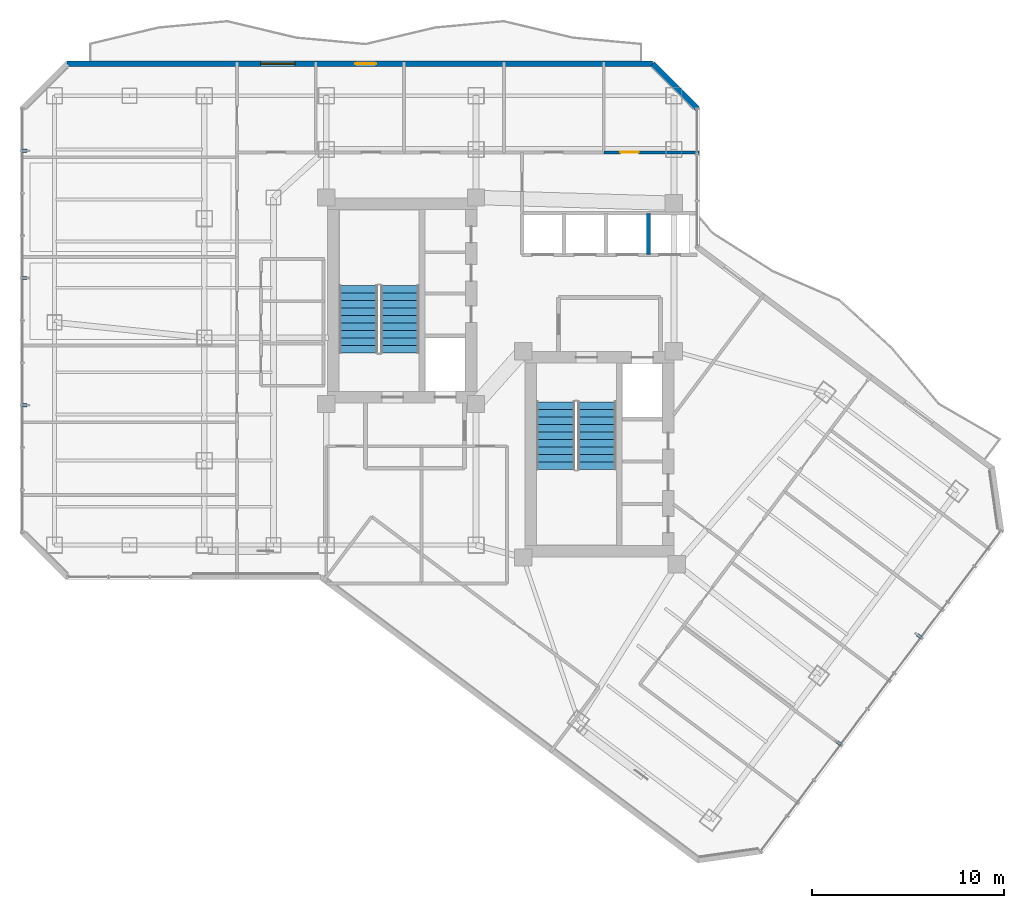
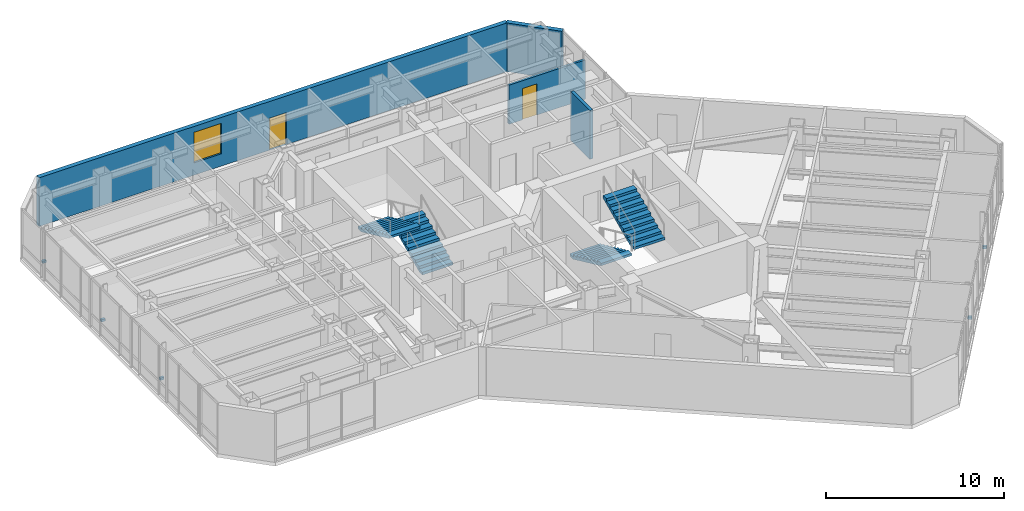
# One storey, part 25 of 29: 5 discrete accessories, 4 stair flights, 4 walls, 2 doors, 1 window, 3 openings, 2 elements without a shape of their own.
"""IFC4 building model written with IfcOpenShell, lengths in metres."""

from ifc_helpers import new_model, si_unit, direction, frame, frame_2d, origin, origin_2d, place, context, subcontext, project, spatial, polyline, rectangle, outline, extrude, material, layer, layer_set, type_object, element, fill, aggregate, save


model = new_model("IFC4")

# Units and contexts
model_context = context("Model", 3, precision=1e-05, world=origin(), true_north=direction((0.0, 1.0)))
body_context = subcontext(model_context, "Body", "Model", "MODEL_VIEW")
ifc_project = project(units=[si_unit("LENGTHUNIT", "METRE"), si_unit("AREAUNIT", "SQUARE_METRE"), si_unit("VOLUMEUNIT", "CUBIC_METRE"), si_unit("PLANEANGLEUNIT", "RADIAN"), si_unit("MASSUNIT", "GRAM", prefix="KILO")], contexts=[model_context])

# Site, building, storey
site_placement = place(None, origin())
site = spatial("IfcSite", under=ifc_project, at=site_placement, CompositionType="ELEMENT")
building_placement = place(site_placement, origin())
building = spatial("IfcBuilding", under=site, at=building_placement, Name="Hatsunagi Terrace Concourse", CompositionType="ELEMENT")
storey_placement = place(building_placement, frame((0.0, 0.0, 149.25)))
storey = spatial("IfcBuildingStorey", under=building, at=storey_placement, Name="L39", CompositionType="ELEMENT", Elevation=149.25)

# Wall, opening, door
ifc_material_1 = material(Name="Acoustic mineral board", Category="gypsum")
ifc_layer_1 = layer(ifc_material_1, 0.14990234375)
ifc_layer_set_1 = layer_set([ifc_layer_1], Name="PartitionWall_EI60_150")
wall_type_1 = type_object("IfcWallType", Name="PartitionWall_EI60_150", PredefinedType="PARTITIONING", material=ifc_layer_set_1)
wall_1_placement = place(storey_placement, frame((40.0, 45.64990234375, 0.0), z_axis=(0.0, 0.0, 1.0), x_axis=(1.0, 0.0, 0.0)))
wall_1 = element("IfcWall", 1, at=wall_1_placement, inside=storey, type_object=wall_type_1, Name="Interior Partition IW-L39-053", PredefinedType="PARTITIONING", context=body_context, shape_type="SweptSolid", body=[
    extrude(rectangle(XDim=4.9599609375, YDim=0.14990234375, at=frame_2d((2.47998046875, 0.0))), origin(), (0.0, 0.0, 1.0), 2.695068359375),
])
opening_1_placement = place(wall_1_placement, frame((0.866943359375, 0.0, 0.0)))
opening_1 = element("IfcOpeningElement", 2, at=opening_1_placement, cuts=wall_1, Name="Opening DR-095", PredefinedType="OPENING", context=body_context, shape_type="SweptSolid", body=[
    extrude(rectangle(XDim=0.949951171875, YDim=2.14990234375, at=frame_2d((0.47509765625, 1.074951171875))), frame((0.0, 0.0849609375, 0.0), z_axis=(0.0, -1.0, 0.0), x_axis=(1.0, 0.0, 0.0)), (0.0, 0.0, 1.0), 0.169921875),
])
ifc_material_2 = material(Name="Hardwood timber", Category="wood")
door_type_1 = type_object("IfcDoorType", Name="InteriorSuiteDoor_EI30_950", OperationType="NOTDEFINED", PredefinedType="DOOR", material=ifc_material_2)
door_1_placement = place(opening_1_placement, origin())
door_1 = element("IfcDoor", 3, at=door_1_placement, inside=storey, type_object=door_type_1, Name="Executive Briefing Room L39-ON5 Door", OperationType="SINGLE_SWING_RIGHT", OverallHeight=2.14990234375, OverallWidth=0.949951171875, PredefinedType="DOOR", context=body_context, shape_type="SweptSolid", body=[
    extrude(rectangle(XDim=0.949951171875, YDim=2.14990234375, at=frame_2d((0.47509765625, 1.074951171875))), frame((0.0, 0.02490234375, 0.0), z_axis=(0.0, -1.0, 0.0), x_axis=(1.0, 0.0, 0.0)), (0.0, 0.0, 1.0), 0.050048828125),
])
fill(opening_1, door_1)

# Wall
ifc_material_3 = material(Name="Acoustic mineral board", Category="gypsum")
ifc_layer_2 = layer(ifc_material_3, 0.199951171875)
ifc_layer_set_2 = layer_set([ifc_layer_2], Name="ShaftWall_EI120_200")
wall_type_2 = type_object("IfcWallType", Name="ShaftWall_EI120_200", PredefinedType="STANDARD", material=ifc_layer_set_2)
wall_2_placement = place(storey_placement, frame((42.320068359375, 40.320068359375, 0.0), z_axis=(0.0, 0.0, 1.0), x_axis=(0.0, 1.0, 0.0)))
element("IfcWall", 4, at=wall_2_placement, inside=storey, type_object=wall_type_2, Name="Interior Partition IW-L39-017", PredefinedType="STANDARD", context=body_context, shape_type="SweptSolid", body=[
    extrude(rectangle(XDim=2.159912109375, YDim=0.199951171875, at=frame_2d((1.080078125, 0.0))), origin(), (0.0, 0.0, 1.0), 3.35009765625),
])

# Wall, openings, door, window
ifc_material_4 = material(Name="Autoclaved Lightweight Concrete and Terracotta Cladding", Category="masonry")
ifc_layer_3 = layer(ifc_material_4, 0.280029296875)
ifc_layer_set_3 = layer_set([ifc_layer_3], Name="TerracottaSpandrelWall_280")
wall_type_3 = type_object("IfcWallType", Name="TerracottaSpandrelWall_280", PredefinedType="STANDARD", material=ifc_layer_set_3)
wall_3_placement = place(storey_placement, frame((12.05810546875, 50.260009765625, 0.0), z_axis=(0.0, 0.0, 1.0), x_axis=(1.0, 0.0, 0.0)))
wall_3 = element("IfcWall", 5, at=wall_3_placement, inside=storey, type_object=wall_type_3, Name="Exterior Spandrel Wall EW-L39-11", PredefinedType="STANDARD", context=body_context, shape_type="SweptSolid", body=[
    extrude(rectangle(XDim=30.48388671875, YDim=0.280029296875, at=frame_2d((15.241943359375, 0.0))), origin(), (0.0, 0.0, 1.0), 3.35009765625),
])
opening_2_placement = place(wall_3_placement, frame((14.991943359375, 0.0, 0.0)))
opening_2 = element("IfcOpeningElement", 6, at=opening_2_placement, cuts=wall_3, Name="Opening BD-01", PredefinedType="OPENING", context=body_context, shape_type="SweptSolid", body=[
    extrude(rectangle(XDim=1.10009765625, YDim=2.199951171875, at=frame_2d((0.550048828125, 1.10009765625))), frame((0.0, 0.14990234375, 0.0), z_axis=(0.0, -1.0, 0.0), x_axis=(1.0, 0.0, 0.0)), (0.0, 0.0, 1.0), 0.300048828125),
])
opening_3_placement = place(wall_3_placement, frame((10.073974609375, 0.0, 0.85009765625)))
opening_3 = element("IfcOpeningElement", 7, at=opening_3_placement, cuts=wall_3, Name="Opening WIN-03", PredefinedType="OPENING", context=body_context, shape_type="SweptSolid", body=[
    extrude(rectangle(XDim=1.800048828125, YDim=2.10009765625, at=frame_2d((0.89990234375, 1.050048828125))), frame((0.0, 0.14990234375, 0.0), z_axis=(0.0, -1.0, 0.0), x_axis=(1.0, 0.0, 0.0)), (0.0, 0.0, 1.0), 0.300048828125),
])
ifc_material_5 = material(Name="Galvanised Steel and Laminated Safety Glass", Category="steel")
door_type_2 = type_object("IfcDoorType", Name="BalconyTerraceAccessDoor_1100x2200", OperationType="SINGLE_SWING_LEFT", PredefinedType="DOOR", material=ifc_material_5)
door_2_placement = place(opening_2_placement, origin())
door_2 = element("IfcDoor", 8, at=door_2_placement, inside=storey, type_object=door_type_2, Name="Engawa Balcony Door L39-BN", OperationType="SINGLE_SWING_RIGHT", OverallHeight=2.199951171875, OverallWidth=1.10009765625, PredefinedType="DOOR", context=body_context, shape_type="SweptSolid", body=[
    extrude(rectangle(XDim=1.10009765625, YDim=2.199951171875, at=frame_2d((0.550048828125, 1.10009765625))), frame((0.0, 0.02490234375, 0.0), z_axis=(0.0, -1.0, 0.0), x_axis=(1.0, 0.0, 0.0)), (0.0, 0.0, 1.0), 0.050048828125),
])
fill(opening_2, door_2)
ifc_material_6 = material(Name="Thermally Broken Aluminium and Low-E Triple Glazing", Category="aluminium")
window_type = type_object("IfcWindowType", Name="OfficeCornerFeatureWindow_1800x2100", PartitioningType="SINGLE_PANEL", PredefinedType="WINDOW", material=ifc_material_6)
window_placement = place(opening_3_placement, origin())
window = element("IfcWindow", 9, at=window_placement, inside=storey, type_object=window_type, Name="Balcony Daylighting Window L39-11-1", OverallHeight=2.10009765625, OverallWidth=1.800048828125, PartitioningType="SINGLE_PANEL", PredefinedType="WINDOW", context=body_context, shape_type="SweptSolid", body=[
    extrude(rectangle(XDim=1.800048828125, YDim=2.10009765625, at=frame_2d((0.89990234375, 1.050048828125))), frame((0.0, 0.030029296875, 0.0), z_axis=(0.0, -1.0, 0.0), x_axis=(1.0, 0.0, 0.0)), (0.0, 0.0, 1.0), 0.06005859375),
])
fill(opening_3, window)

# Wall
wall_4_placement = place(storey_placement, frame((42.5419921875, 50.260009765625, 0.0), z_axis=(0.0, 0.0, 1.0), x_axis=(0.707106781187, -0.707106781187, 0.0)))
element("IfcWall", 10, at=wall_4_placement, inside=storey, type_object=wall_type_3, Name="Exterior Spandrel Wall EW-L39-12", PredefinedType="STANDARD", context=body_context, shape_type="SweptSolid", body=[
    extrude(rectangle(XDim=3.2783203125, YDim=0.280029296875, at=frame_2d((1.63916015625, 0.0))), origin(), (0.0, 0.0, 1.0), 3.35009765625),
])

# Stair, stair flights
ifc_material_7 = material(Name="Concrete Fc42", Category="concrete")
stair_type = type_object("IfcStairType", Name="DoglegExitStair_Tower2000_20R_180", PredefinedType="HALF_TURN_STAIR", material=ifc_material_7)
stair_1_placement = place(storey_placement, origin())
stair_1 = element("IfcStair", 11, at=stair_1_placement, inside=storey, type_object=stair_type, Name="L39 Core A Protected Exit Stair ST-A", PredefinedType="HALF_TURN_STAIR")
ifc_material_8 = material(Name="Concrete Fc42", Category="concrete")
stair_flight_type = type_object("IfcStairFlightType", Name="DoglegStairFlight_Tower2000_20R_180", PredefinedType="STRAIGHT", material=ifc_material_8)
stair_flight_1_placement = place(storey_placement, frame((29.3798828125, 35.199951171875, 0.0), z_axis=(0.0, 0.0, 1.0), x_axis=(0.0, 1.0, 0.0)))
stair_flight_1 = element("IfcStairFlight", 12, at=stair_flight_1_placement, type_object=stair_flight_type, Name="ST-A flight 1", NumberOfRisers=10, NumberOfTreads=9, PredefinedType="STRAIGHT", RiserHeight=0.18, TreadLength=0.39, context=body_context, shape_type="SweptSolid", body=[
    extrude(outline(polyline([(0.0, 0.0), (0.0, 0.179931640625), (0.389892578125, 0.179931640625), (0.389892578125, 0.360107421875), (0.780029296875, 0.360107421875), (0.780029296875, 0.5400390625), (1.169921875, 0.5400390625), (1.169921875, 0.719970703125), (1.56005859375, 0.719970703125), (1.56005859375, 0.89990234375), (1.949951171875, 0.89990234375), (1.949951171875, 1.080078125), (2.340087890625, 1.080078125), (2.340087890625, 1.260009765625), (2.72998046875, 1.260009765625), (2.72998046875, 1.43994140625), (3.1201171875, 1.43994140625), (3.1201171875, 1.6201171875), (3.510009765625, 1.6201171875), (3.510009765625, 1.800048828125), (3.510009765625, 1.454833984375), (0.357666015625, 0.0), (0.0, 0.0)])), frame((0.0, 1.0, 0.0), z_axis=(0.0, -1.0, 0.0), x_axis=(1.0, 0.0, 0.0)), (0.0, 0.0, 1.0), 2.0),
])
stair_flight_2_placement = place(storey_placement, frame((27.22998046875, 38.7099609375, 1.800048828125), z_axis=(0.0, 0.0, 1.0), x_axis=(0.0, -1.0, 0.0)))
stair_flight_2 = element("IfcStairFlight", 13, at=stair_flight_2_placement, type_object=stair_flight_type, Name="ST-A flight 2", NumberOfRisers=10, NumberOfTreads=9, PredefinedType="STRAIGHT", RiserHeight=0.18, TreadLength=0.39, context=body_context, shape_type="SweptSolid", body=[
    extrude(outline(polyline([(0.0, 0.0), (0.0, 0.179931640625), (0.389892578125, 0.179931640625), (0.389892578125, 0.360107421875), (0.780029296875, 0.360107421875), (0.780029296875, 0.5400390625), (1.169921875, 0.5400390625), (1.169921875, 0.719970703125), (1.56005859375, 0.719970703125), (1.56005859375, 0.89990234375), (1.949951171875, 0.89990234375), (1.949951171875, 1.080078125), (2.340087890625, 1.080078125), (2.340087890625, 1.260009765625), (2.72998046875, 1.260009765625), (2.72998046875, 1.43994140625), (3.1201171875, 1.43994140625), (3.1201171875, 1.6201171875), (3.510009765625, 1.6201171875), (3.510009765625, 1.800048828125), (3.510009765625, 1.454833984375), (0.357666015625, 0.0), (0.0, 0.0)])), frame((0.0, 1.0, 0.0), z_axis=(0.0, -1.0, 0.0), x_axis=(1.0, 0.0, 0.0)), (0.0, 0.0, 1.0), 2.0),
])
aggregate(stair_1, [stair_flight_1, stair_flight_2])

stair_2_placement = place(storey_placement, origin())
stair_2 = element("IfcStair", 14, at=stair_2_placement, inside=storey, type_object=stair_type, Name="L39 Core B Protected Exit Stair ST-B", PredefinedType="HALF_TURN_STAIR")
stair_flight_3_placement = place(storey_placement, frame((37.5, 32.659912109375, 0.0), z_axis=(0.0, 0.0, 1.0), x_axis=(0.0, -1.0, 0.0)))
stair_flight_3 = element("IfcStairFlight", 15, at=stair_flight_3_placement, type_object=stair_flight_type, Name="ST-B flight 1", NumberOfRisers=10, NumberOfTreads=9, PredefinedType="STRAIGHT", RiserHeight=0.18, TreadLength=0.39, context=body_context, shape_type="SweptSolid", body=[
    extrude(outline(polyline([(0.0, 0.0), (0.0, 0.179931640625), (0.389892578125, 0.179931640625), (0.389892578125, 0.360107421875), (0.780029296875, 0.360107421875), (0.780029296875, 0.5400390625), (1.169921875, 0.5400390625), (1.169921875, 0.719970703125), (1.56005859375, 0.719970703125), (1.56005859375, 0.89990234375), (1.949951171875, 0.89990234375), (1.949951171875, 1.080078125), (2.340087890625, 1.080078125), (2.340087890625, 1.260009765625), (2.72998046875, 1.260009765625), (2.72998046875, 1.43994140625), (3.1201171875, 1.43994140625), (3.1201171875, 1.6201171875), (3.510009765625, 1.6201171875), (3.510009765625, 1.800048828125), (3.510009765625, 1.454833984375), (0.357666015625, 0.0), (0.0, 0.0)])), frame((0.0, 1.0, 0.0), z_axis=(0.0, -1.0, 0.0), x_axis=(1.0, 0.0, 0.0)), (0.0, 0.0, 1.0), 2.0),
])
stair_flight_4_placement = place(storey_placement, frame((39.64990234375, 29.14990234375, 1.800048828125), z_axis=(0.0, 0.0, 1.0), x_axis=(0.0, 1.0, 0.0)))
stair_flight_4 = element("IfcStairFlight", 16, at=stair_flight_4_placement, type_object=stair_flight_type, Name="ST-B flight 2", NumberOfRisers=10, NumberOfTreads=9, PredefinedType="STRAIGHT", RiserHeight=0.18, TreadLength=0.39, context=body_context, shape_type="SweptSolid", body=[
    extrude(outline(polyline([(0.0, 0.0), (0.0, 0.179931640625), (0.389892578125, 0.179931640625), (0.389892578125, 0.360107421875), (0.780029296875, 0.360107421875), (0.780029296875, 0.5400390625), (1.169921875, 0.5400390625), (1.169921875, 0.719970703125), (1.56005859375, 0.719970703125), (1.56005859375, 0.89990234375), (1.949951171875, 0.89990234375), (1.949951171875, 1.080078125), (2.340087890625, 1.080078125), (2.340087890625, 1.260009765625), (2.72998046875, 1.260009765625), (2.72998046875, 1.43994140625), (3.1201171875, 1.43994140625), (3.1201171875, 1.6201171875), (3.510009765625, 1.6201171875), (3.510009765625, 1.800048828125), (3.510009765625, 1.454833984375), (0.357666015625, 0.0), (0.0, 0.0)])), frame((0.0, 1.0, 0.0), z_axis=(0.0, -1.0, 0.0), x_axis=(1.0, 0.0, 0.0)), (0.0, 0.0, 1.0), 2.0),
])
aggregate(stair_2, [stair_flight_3, stair_flight_4])

# Discrete accessories
ifc_material_9 = material(Name="Stainless Steel SUS316 Bracket", Category="steel")
discrete_accessory_type = type_object("IfcDiscreteAccessoryType", Name="FacadeScreenSupportBracket_SS", PredefinedType="BRACKET", material=ifc_material_9)
for number, where, z_axis, x_axis, name in (
    (17, (56.427978515625, 20.455078125, 0.97021484375), (0.0, 0.0, 1.0), (-0.599969314634, -0.800023013105, 0.0), "Terracotta Screen Bracket BRK-01"),
    (18, (52.251953125, 14.885009765625, 0.97021484375), (0.0, 0.0, 1.0), (-0.599969314634, -0.800023013105, 0.0), "Terracotta Screen Bracket BRK-01"),
    (19, (9.85009765625, 32.48291015625, 0.97021484375), (0.0, 0.0, 1.0), (0.0, 1.0, 0.0), "Terracotta Screen Bracket BRK-01"),
    (20, (9.85009765625, 39.10791015625, 0.97021484375), (0.0, 0.0, 1.0), (0.0, 1.0, 0.0), "Terracotta Screen Bracket BRK-01"),
    (21, (9.85009765625, 45.73388671875, 0.97021484375), (0.0, 0.0, 1.0), (0.0, 1.0, 0.0), "Terracotta Screen Bracket BRK-01"),
):
    element("IfcDiscreteAccessory", number, at=place(storey_placement, frame(where, z_axis=z_axis, x_axis=x_axis)), inside=storey, type_object=discrete_accessory_type, Name=name, PredefinedType="BRACKET", context=body_context, shape_type="SweptSolid", body=[
        extrude(rectangle(XDim=0.159912109375, YDim=0.239990234375, at=origin_2d()), origin(), (0.0, 0.0, 1.0), 0.159912109375),
    ])

save(model, "model.ifc")
